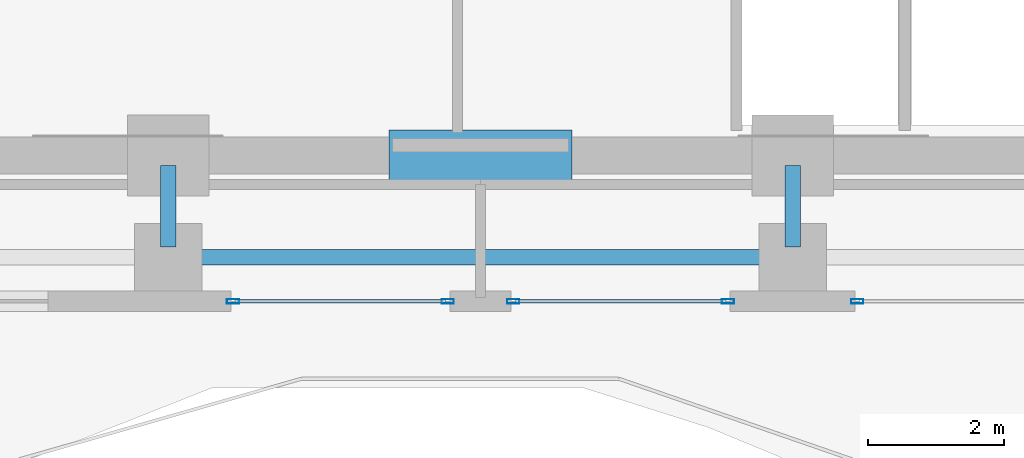
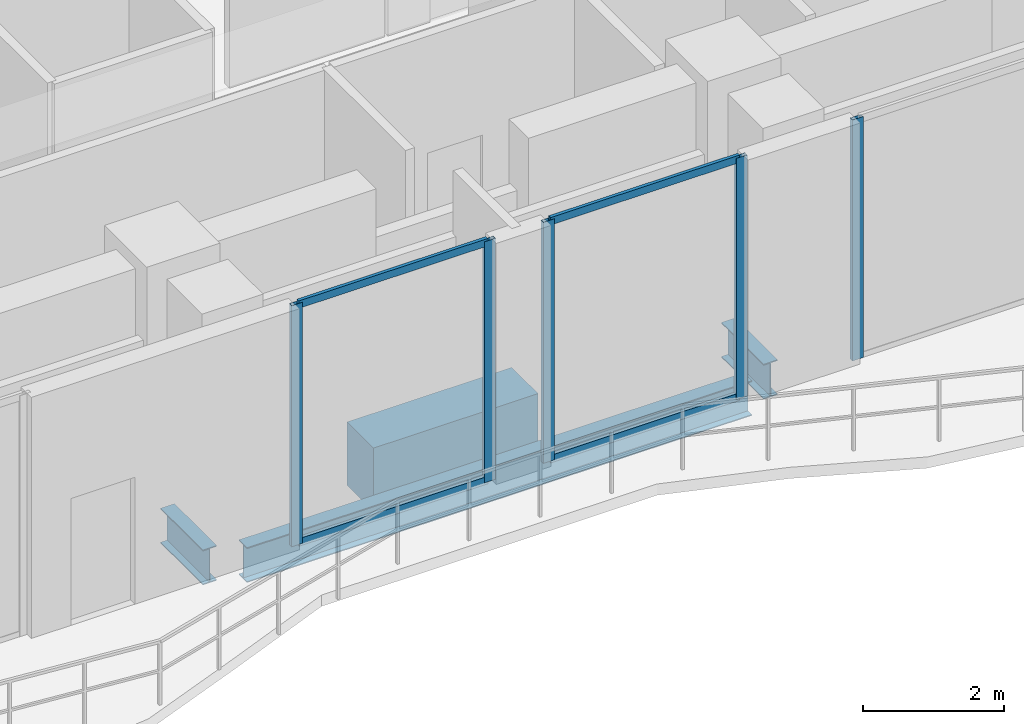
# One storey, part 4 of 23: 9 members, 4 beams, 3 elements without a shape of their own.
"""IFC4 building model written with IfcOpenShell, lengths in metres."""

import ifcopenshell
import ifcopenshell.guid

model = None  # the IFC model being written
_history = None  # IfcOwnerHistory: only IFC2X3 demands one
_inside = {}  # id of a spatial element -> (the spatial element, [elements in it])
_under = {}  # id of a project, library or spatial element -> (it, [spatial elements below it])
_declared = {}  # id of a project -> (the project, [libraries it declares])
_typed = {}  # id of a type object -> (the type object, [elements of that type])
_made_of = {}  # id of a material, layer set ... -> (it, [elements and type objects made of it])


def new_model(schema):
    """Start an empty IFC model of exactly this schema.

    Asked for "IFC4X3", IfcOpenShell would pick the latest addendum, in which some entities
    have other attributes; the version numbers below select the first issue.
    IFC2X3 requires an IfcOwnerHistory on every rooted entity: one is made here for all.
    """
    global model, _history
    if schema == "IFC4X3":
        model = ifcopenshell.file(schema_version=(4, 3, 0, 0))
    else:
        model = ifcopenshell.file(schema=schema)
    _inside.clear()
    _under.clear()
    _declared.clear()
    _typed.clear()
    _made_of.clear()
    _history = None
    if model.schema == "IFC2X3":
        org = make("IfcOrganization", Name="unknown")
        user = make(
            "IfcPersonAndOrganization",
            ThePerson=make("IfcPerson", FamilyName="unknown"),
            TheOrganization=org,
        )
        app = make(
            "IfcApplication",
            ApplicationDeveloper=org,
            Version="unknown",
            ApplicationFullName="unknown",
            ApplicationIdentifier="unknown",
        )
        _history = make(
            "IfcOwnerHistory",
            OwningUser=user,
            OwningApplication=app,
            ChangeAction="ADDED",
            CreationDate=0,
        )
    return model


def make(cls, **values):
    """One entity of the class cls with the attributes given. An attribute that is None is left unset."""
    return model.create_entity(
        cls, **{name: value for name, value in values.items() if value is not None}
    )


def rooted(cls, **values):
    """An entity with a GlobalId (a new one), such as an element, a storey or a relation."""
    return make(cls, GlobalId=ifcopenshell.guid.new(), OwnerHistory=_history, **values)


def si_unit(unit_type, name, prefix=None):
    """IfcSIUnit, for example si_unit("LENGTHUNIT", "METRE", prefix="MILLI")."""
    return make("IfcSIUnit", UnitType=unit_type, Prefix=prefix, Name=name)


def assignment(units):
    """IfcUnitAssignment: the units of a project."""
    return None if units is None else make("IfcUnitAssignment", Units=units)


def point(xyz):
    """IfcCartesianPoint."""
    return None if xyz is None else make("IfcCartesianPoint", Coordinates=xyz)


def direction(xyz):
    """IfcDirection."""
    return None if xyz is None else make("IfcDirection", DirectionRatios=xyz)


def frame(location, z_axis=None, x_axis=None):
    """IfcAxis2Placement3D, a coordinate frame: its origin and axes. An axis left out is left unset."""
    return make(
        "IfcAxis2Placement3D",
        Location=point(location),
        Axis=direction(z_axis),
        RefDirection=direction(x_axis),
    )


def frame_2d(location, x_axis=None):
    """IfcAxis2Placement2D, a coordinate frame in the plane: its origin and x axis."""
    return make(
        "IfcAxis2Placement2D", Location=point(location), RefDirection=direction(x_axis)
    )


def origin():
    """The frame at (0, 0, 0) with its axes left unset."""
    return frame((0.0, 0.0, 0.0))


def origin_2d():
    """The frame at (0, 0) in the plane with its x axis left unset."""
    return frame_2d((0.0, 0.0))


def place(relative_to, where):
    """IfcLocalPlacement: puts the frame where relative to a parent placement (None: the world)."""
    return make(
        "IfcLocalPlacement", PlacementRelTo=relative_to, RelativePlacement=where
    )


def context(
    kind, dimensions, precision=None, world=None, true_north=None, identifier=None
):
    """IfcGeometricRepresentationContext, for example the 3D "Model" context."""
    return make(
        "IfcGeometricRepresentationContext",
        ContextIdentifier=identifier,
        ContextType=kind,
        CoordinateSpaceDimension=dimensions,
        Precision=precision,
        WorldCoordinateSystem=world,
        TrueNorth=true_north,
    )


def subcontext(parent, identifier, kind, view, scale=None):
    """IfcGeometricRepresentationSubContext, for example "Body" below "Model"."""
    return make(
        "IfcGeometricRepresentationSubContext",
        ContextIdentifier=identifier,
        ContextType=kind,
        ParentContext=parent,
        TargetScale=scale,
        TargetView=view,
    )


def project(units=None, contexts=None):
    """IfcProject with its units and contexts."""
    return rooted(
        "IfcProject",
        Name="project",
        RepresentationContexts=contexts,
        UnitsInContext=assignment(units),
    )


def spatial(cls, under=None, at=None, **own):
    """A site, building, storey or space (cls), placed at a placement, below another one or the project."""
    s = rooted(cls, ObjectPlacement=at, **own)
    if under is not None:
        _under.setdefault(under.id(), (under, []))[1].append(s)
    return s


def profile(cls, at=None, kind="AREA", **sizes):
    """A parametric profile (cls). Its sizes go by their IFC names, for example OverallWidth=200.0."""
    return make(cls, ProfileType=kind, Position=at, **sizes)


def rectangle(**sizes):
    """IfcRectangleProfileDef."""
    return profile("IfcRectangleProfileDef", **sizes)


def hollow_rectangle(**sizes):
    """IfcRectangleHollowProfileDef."""
    return profile("IfcRectangleHollowProfileDef", **sizes)


def i_section(**sizes):
    """IfcIShapeProfileDef."""
    return profile("IfcIShapeProfileDef", **sizes)


def extrude(swept, where, along, depth):
    """IfcExtrudedAreaSolid: the profile swept, set in the frame where, extruded along a direction by depth."""
    return make(
        "IfcExtrudedAreaSolid",
        SweptArea=swept,
        Position=where,
        ExtrudedDirection=direction(along),
        Depth=depth,
    )


def shape(context_of_items, identifier, shape_type, items):
    """IfcShapeRepresentation: the items that make up one representation, for example the "Body"."""
    return make(
        "IfcShapeRepresentation",
        ContextOfItems=context_of_items,
        RepresentationIdentifier=identifier,
        RepresentationType=shape_type,
        Items=items,
    )


def material(Name=None, Category=None):
    """IfcMaterial."""
    return make("IfcMaterial", Name=Name, Category=Category)


def layer(
    of_material, thickness, ventilated=None, Name=None, Category=None, Priority=None
):
    """IfcMaterialLayer: one layer of a wall or slab, of a material (None: an air gap)."""
    return make(
        "IfcMaterialLayer",
        Material=of_material,
        LayerThickness=thickness,
        IsVentilated=ventilated,
        Name=Name,
        Category=Category,
        Priority=Priority,
    )


def layer_set(layers, Name=None):
    """IfcMaterialLayerSet."""
    return make("IfcMaterialLayerSet", MaterialLayers=layers, LayerSetName=Name)


def material_profile(
    of_material, cross_section, Name=None, Category=None, Priority=None
):
    """IfcMaterialProfile: a cross section and its material."""
    return make(
        "IfcMaterialProfile",
        Name=Name,
        Material=of_material,
        Profile=cross_section,
        Priority=Priority,
        Category=Category,
    )


def profile_set(profiles, Name=None, composite=None):
    """IfcMaterialProfileSet."""
    return make(
        "IfcMaterialProfileSet",
        Name=Name,
        MaterialProfiles=profiles,
        CompositeProfile=composite,
    )


def made_of(thing, what):
    """Note that an element or type object is made of a material, layer set ...; save() writes the relation."""
    if what is not None:
        _made_of.setdefault(what.id(), (what, []))[1].append(thing)
    return thing


def type_object(cls, material=None, **own):
    """A type object (cls), such as IfcWallType, which elements share."""
    return made_of(rooted(cls, **own), material)


def element(
    cls,
    number,
    at=None,
    inside=None,
    cuts=None,
    type_object=None,
    material=None,
    context=None,
    identifier="Body",
    shape_type=None,
    held_by="IfcProductDefinitionShape",
    body=None,
    shapes=None,
    **own,
):
    """One element of the class cls, such as IfcWall. Its Tag is "e" and its number.

    at: its placement. inside: the storey or other place that contains it. cuts: it is an
    opening in that element (IfcRelVoidsElement). A single representation is given by context,
    identifier, shape_type and body (its items); several are given by shapes. held_by: the class
    of the entity that holds the representations. save() writes the other relations.
    """
    e = rooted(cls, Tag="e%d" % number, ObjectPlacement=at, **own)
    if body is not None:
        shapes = [shape(context, identifier, shape_type, body)]
    if shapes is not None:
        e.Representation = make(held_by, Representations=shapes)
    if inside is not None:
        _inside.setdefault(inside.id(), (inside, []))[1].append(e)
    if cuts is not None:
        rooted(
            "IfcRelVoidsElement", RelatingBuildingElement=cuts, RelatedOpeningElement=e
        )
    if type_object is not None:
        _typed.setdefault(type_object.id(), (type_object, []))[1].append(e)
    return made_of(e, material)


def aggregate(whole, parts):
    """IfcRelAggregates: a whole, such as a stair, and the parts it consists of."""
    return rooted("IfcRelAggregates", RelatingObject=whole, RelatedObjects=parts)


def save(model, path):
    """Write the relations noted so far, then the file.

    IfcRelAggregates (storeys below a building ...), IfcRelContainedInSpatialStructure (elements
    in a storey), IfcRelDefinesByType, IfcRelAssociatesMaterial and IfcRelDeclares: one each for
    every whole, place, type object, material and project.
    """
    for whole, parts in _under.values():
        aggregate(whole, parts)
    for where, things in _inside.values():
        rooted(
            "IfcRelContainedInSpatialStructure",
            RelatedElements=things,
            RelatingStructure=where,
        )
    for kind, things in _typed.values():
        rooted("IfcRelDefinesByType", RelatedObjects=things, RelatingType=kind)
    for what, things in _made_of.values():
        rooted("IfcRelAssociatesMaterial", RelatedObjects=things, RelatingMaterial=what)
    for by, libraries in _declared.values():
        rooted("IfcRelDeclares", RelatingContext=by, RelatedDefinitions=libraries)
    model.write(path)


model = new_model("IFC4")

# Units and contexts
model_context = context("Model", 3, precision=1e-05, world=origin(), true_north=direction((0.0, 1.0)))
body_context = subcontext(model_context, "Body", "Model", "MODEL_VIEW")
ifc_project = project(units=[si_unit("LENGTHUNIT", "METRE"), si_unit("AREAUNIT", "SQUARE_METRE"), si_unit("VOLUMEUNIT", "CUBIC_METRE"), si_unit("PLANEANGLEUNIT", "RADIAN"), si_unit("MASSUNIT", "GRAM", prefix="KILO")], contexts=[model_context])

# Site, building, storey
site_placement = place(None, origin())
site = spatial("IfcSite", under=ifc_project, at=site_placement, CompositionType="ELEMENT")
building_placement = place(site_placement, origin())
building = spatial("IfcBuilding", under=site, at=building_placement, Name="Zuhayl Quay Hotel", CompositionType="ELEMENT")
storey_placement = place(building_placement, frame((0.0, 0.0, 288.449951171875)))
storey = spatial("IfcBuildingStorey", under=building, at=storey_placement, Name="L73", CompositionType="ELEMENT", Elevation=288.449951171875)

# Beams
ifc_material_1 = material(Name="Steel ASTM A992 Grade 50", Category="steel")
ifc_material_profile_1 = material_profile(ifc_material_1, i_section(OverallWidth=0.22802734375, OverallDepth=0.60693359375, WebThickness=0.01123046875, FlangeThickness=0.017333984375, at=origin_2d()), Name="W24X76")
ifc_profile_set_1 = profile_set([ifc_material_profile_1], Name="Steel ASTM A992 Grade 50")
beam_type_1 = type_object("IfcBeamType", Name="BM_B3_W24X76", PredefinedType="BEAM", material=ifc_profile_set_1)
beam_1_placement = place(storey_placement, frame((-4.139892578125, 0.64990234375, -0.5234375), z_axis=(1.0, 0.0, 0.0), x_axis=(0.0, 1.0, 0.0)))
element("IfcBeam", 1, at=beam_1_placement, inside=storey, type_object=beam_type_1, Name="L73 Floor Beam RG_L73_02", PredefinedType="BEAM", context=body_context, shape_type="SweptSolid", body=[
    extrude(i_section(OverallWidth=0.22802734375, OverallDepth=0.60693359375, WebThickness=0.01123046875, FlangeThickness=0.017333984375, at=origin_2d()), origin(), (0.0, 0.0, 1.0), 8.27978515625),
])
for number, where, z_axis, x_axis, name in (
    (2, (-4.60009765625, 0.800048828125, -0.5234375), (0.0, 1.0, 0.0), (-1.0, 0.0, 0.0), "L73 Floor Beam FG_S_L73_2"),
    (3, (4.60009765625, 0.800048828125, -0.5234375), (0.0, 1.0, 0.0), (-1.0, 0.0, 0.0), "L73 Floor Beam FG_S_L73_3"),
):
    element("IfcBeam", number, at=place(storey_placement, frame(where, z_axis=z_axis, x_axis=x_axis)), inside=storey, type_object=beam_type_1, Name=name, PredefinedType="BEAM", context=body_context, shape_type="SweptSolid", body=[
        extrude(i_section(OverallWidth=0.22802734375, OverallDepth=0.60693359375, WebThickness=0.01123046875, FlangeThickness=0.017333984375, at=origin_2d()), origin(), (0.0, 0.0, 1.0), 1.199951171875),
    ])
ifc_material_2 = material(Name="Concrete C60/75", Category="concrete")
ifc_material_profile_2 = material_profile(ifc_material_2, rectangle(XDim=0.75, YDim=1.10009765625, at=origin_2d()), Name="RC750X1100")
ifc_profile_set_2 = profile_set([ifc_material_profile_2], Name="Concrete C60/75")
beam_type_2 = type_object("IfcBeamType", Name="BM_CB2_RC750", PredefinedType="T_BEAM", material=ifc_profile_set_2)
beam_2_placement = place(storey_placement, frame((-1.35009765625, 2.14990234375, -0.77001953125), z_axis=(1.0, 0.0, 0.0), x_axis=(0.0, 1.0, 0.0)))
element("IfcBeam", 4, at=beam_2_placement, inside=storey, type_object=beam_type_2, Name="L73 Core Coupling Beam South", PredefinedType="T_BEAM", context=body_context, shape_type="SweptSolid", body=[
    extrude(rectangle(XDim=0.75, YDim=1.10009765625, at=origin_2d()), origin(), (0.0, 0.0, 1.0), 2.7001953125),
])

# Curtain wall, member
ifc_material_3 = material(Name="Anodised Aluminium 6063-T6", Category="aluminium")
ifc_layer = layer(ifc_material_3, 0.169921875, Name="Anodised Aluminium 6063-T6", Category="aluminium")
ifc_layer_set = layer_set([ifc_layer], Name="Anodised Aluminium 6063-T6")
curtain_wall_type = type_object("IfcCurtainWallType", Name="CW_SYS_Z4", PredefinedType="USERDEFINED", material=ifc_layer_set)
curtain_wall_1_placement = place(storey_placement, origin())
curtain_wall_1 = element("IfcCurtainWall", 5, at=curtain_wall_1_placement, inside=storey, type_object=curtain_wall_type, Name="L73 Curtain Wall ENV_L73_S_CW1", ObjectType="UNITISED CURTAIN WALL", PredefinedType="USERDEFINED")
ifc_material_4 = material(Name="Black-anodised aluminium 6063-T6", Category="aluminium")
ifc_material_profile_3 = material_profile(ifc_material_4, hollow_rectangle(XDim=0.06494140625, YDim=0.179931640625, WallThickness=0.00341796875, at=origin_2d()), Name="ALU180X65")
ifc_profile_set_3 = profile_set([ifc_material_profile_3], Name="Black-anodised aluminium 6063-T6")
member_type_1 = type_object("IfcMemberType", Name="MB_CW_MUL_180", PredefinedType="MULLION", material=ifc_profile_set_3)
member_1_placement = place(storey_placement, frame((5.552490234375, 0.0, 0.0), z_axis=(0.0, 0.0, 1.0), x_axis=(0.0, -1.0, 0.0)))
member_1 = element("IfcMember", 6, at=member_1_placement, type_object=member_type_1, Name="CW-Z4 mullion 2", PredefinedType="MULLION", context=body_context, shape_type="SweptSolid", body=[
    extrude(hollow_rectangle(XDim=0.06494140625, YDim=0.179931640625, WallThickness=0.00341796875, at=origin_2d()), origin(), (0.0, 0.0, 1.0), 4.179931640625),
])
aggregate(curtain_wall_1, [member_1])

# Curtain wall, members
curtain_wall_2_placement = place(storey_placement, origin())
curtain_wall_2 = element("IfcCurtainWall", 7, at=curtain_wall_2_placement, inside=storey, type_object=curtain_wall_type, Name="L73 Curtain Wall ENV_L73_S_CW2", ObjectType="UNITISED CURTAIN WALL", PredefinedType="USERDEFINED")
member_2_placement = place(storey_placement, frame((3.6474609375, 0.0, 0.0), z_axis=(0.0, 0.0, 1.0), x_axis=(0.0, -1.0, 0.0)))
member_2 = element("IfcMember", 8, at=member_2_placement, type_object=member_type_1, Name="CW-Z4 mullion 1", PredefinedType="MULLION", context=body_context, shape_type="SweptSolid", body=[
    extrude(hollow_rectangle(XDim=0.06494140625, YDim=0.179931640625, WallThickness=0.00341796875, at=origin_2d()), origin(), (0.0, 0.0, 1.0), 4.179931640625),
])
member_3_placement = place(storey_placement, frame((0.482421875, 0.0, 0.0), z_axis=(0.0, 0.0, 1.0), x_axis=(0.0, -1.0, 0.0)))
member_3 = element("IfcMember", 9, at=member_3_placement, type_object=member_type_1, Name="CW-Z4 mullion 2", PredefinedType="MULLION", context=body_context, shape_type="SweptSolid", body=[
    extrude(hollow_rectangle(XDim=0.06494140625, YDim=0.179931640625, WallThickness=0.00341796875, at=origin_2d()), origin(), (0.0, 0.0, 1.0), 4.179931640625),
])

curtain_wall_3_placement = place(storey_placement, origin())
curtain_wall_3 = element("IfcCurtainWall", 10, at=curtain_wall_3_placement, inside=storey, type_object=curtain_wall_type, Name="L73 Curtain Wall ENV_L73_S_CW3", ObjectType="UNITISED CURTAIN WALL", PredefinedType="USERDEFINED")
member_4_placement = place(storey_placement, frame((-0.482421875, 0.0, 0.0), z_axis=(0.0, 0.0, 1.0), x_axis=(0.0, -1.0, 0.0)))
member_4 = element("IfcMember", 11, at=member_4_placement, type_object=member_type_1, Name="CW-Z4 mullion 1", PredefinedType="MULLION", context=body_context, shape_type="SweptSolid", body=[
    extrude(hollow_rectangle(XDim=0.06494140625, YDim=0.179931640625, WallThickness=0.00341796875, at=origin_2d()), origin(), (0.0, 0.0, 1.0), 4.179931640625),
])
member_5_placement = place(storey_placement, frame((-3.6474609375, 0.0, 0.0), z_axis=(0.0, 0.0, 1.0), x_axis=(0.0, -1.0, 0.0)))
member_5 = element("IfcMember", 12, at=member_5_placement, type_object=member_type_1, Name="CW-Z4 mullion 2", PredefinedType="MULLION", context=body_context, shape_type="SweptSolid", body=[
    extrude(hollow_rectangle(XDim=0.06494140625, YDim=0.179931640625, WallThickness=0.00341796875, at=origin_2d()), origin(), (0.0, 0.0, 1.0), 4.179931640625),
])

# Member
ifc_material_profile_4 = material_profile(ifc_material_4, hollow_rectangle(XDim=0.054931640625, YDim=0.1298828125, WallThickness=0.0029296875, at=origin_2d()), Name="ALU130X55")
ifc_profile_set_4 = profile_set([ifc_material_profile_4], Name="Black-anodised aluminium 6063-T6")
member_type_2 = type_object("IfcMemberType", Name="MB_CW_TRN_130", PredefinedType="USERDEFINED", material=ifc_profile_set_4)
member_6_placement = place(storey_placement, frame((3.614990234375, 0.0, 0.027587890625), z_axis=(-1.0, 0.0, 0.0), x_axis=(0.0, -1.0, 0.0)))
member_6 = element("IfcMember", 13, at=member_6_placement, type_object=member_type_2, Name="CW-Z4 transom 1.1", ObjectType="TRANSOM", PredefinedType="USERDEFINED", context=body_context, shape_type="SweptSolid", body=[
    extrude(hollow_rectangle(XDim=0.054931640625, YDim=0.1298828125, WallThickness=0.0029296875, at=origin_2d()), origin(), (0.0, 0.0, 1.0), 3.10009765625),
])

member_7_placement = place(storey_placement, frame((3.614990234375, 0.0, 4.152587890625), z_axis=(-1.0, 0.0, 0.0), x_axis=(0.0, -1.0, 0.0)))
member_7 = element("IfcMember", 14, at=member_7_placement, type_object=member_type_2, Name="CW-Z4 transom 1.2", ObjectType="TRANSOM", PredefinedType="USERDEFINED", context=body_context, shape_type="SweptSolid", body=[
    extrude(hollow_rectangle(XDim=0.054931640625, YDim=0.1298828125, WallThickness=0.0029296875, at=origin_2d()), origin(), (0.0, 0.0, 1.0), 3.10009765625),
])

aggregate(curtain_wall_2, [member_2, member_3, member_6, member_7])

member_8_placement = place(storey_placement, frame((-0.514892578125, 0.0, 0.027587890625), z_axis=(-1.0, 0.0, 0.0), x_axis=(0.0, -1.0, 0.0)))
member_8 = element("IfcMember", 15, at=member_8_placement, type_object=member_type_2, Name="CW-Z4 transom 1.1", ObjectType="TRANSOM", PredefinedType="USERDEFINED", context=body_context, shape_type="SweptSolid", body=[
    extrude(hollow_rectangle(XDim=0.054931640625, YDim=0.1298828125, WallThickness=0.0029296875, at=origin_2d()), origin(), (0.0, 0.0, 1.0), 3.10009765625),
])

member_9_placement = place(storey_placement, frame((-0.514892578125, 0.0, 4.152587890625), z_axis=(-1.0, 0.0, 0.0), x_axis=(0.0, -1.0, 0.0)))
member_9 = element("IfcMember", 16, at=member_9_placement, type_object=member_type_2, Name="CW-Z4 transom 1.2", ObjectType="TRANSOM", PredefinedType="USERDEFINED", context=body_context, shape_type="SweptSolid", body=[
    extrude(hollow_rectangle(XDim=0.054931640625, YDim=0.1298828125, WallThickness=0.0029296875, at=origin_2d()), origin(), (0.0, 0.0, 1.0), 3.10009765625),
])

aggregate(curtain_wall_3, [member_4, member_5, member_8, member_9])

save(model, "model.ifc")
